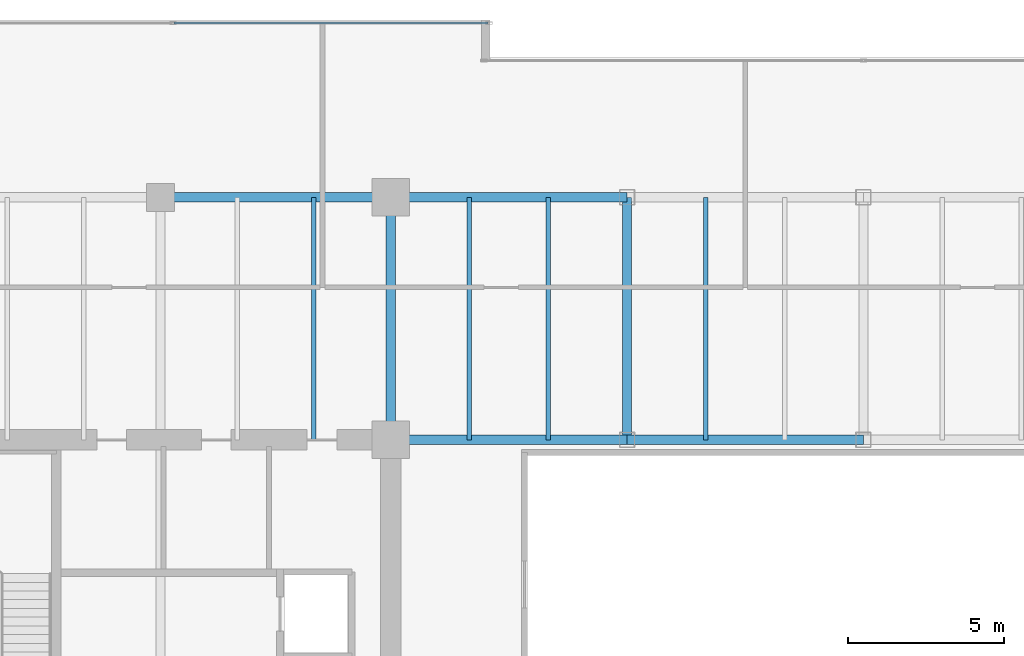
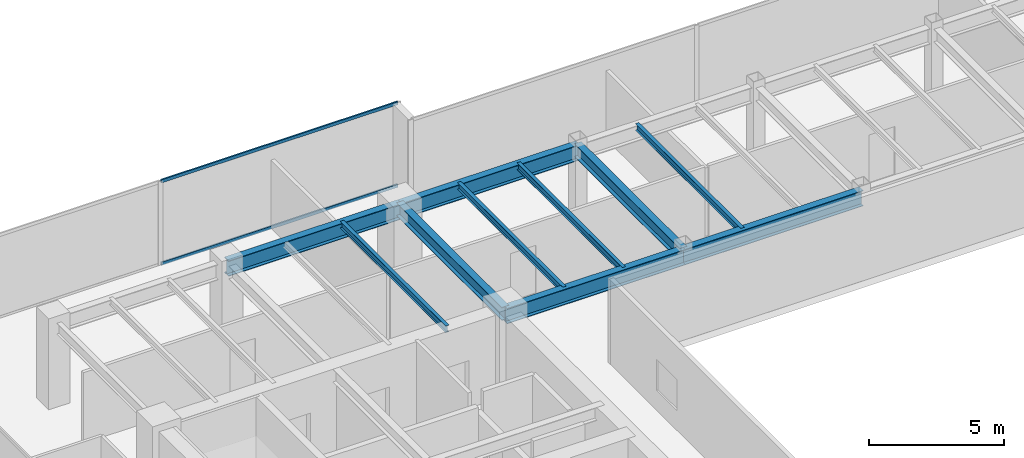
# One storey, part 15 of 31: 10 beams, 2 members, 1 element without a shape of its own.
"""IFC4 building model written with IfcOpenShell, lengths in metres."""

from ifc_helpers import new_model, si_unit, direction, frame, origin, origin_2d, place, context, subcontext, project, spatial, hollow_rectangle, i_section, extrude, source, transform, mapped, material, layer, layer_set, material_profile, profile_set, type_object, type_shapes, element, aggregate, save


model = new_model("IFC4")

# Units and contexts
model_context = context("Model", 3, precision=1e-05, world=origin(), true_north=direction((0.0, 1.0)))
body_context = subcontext(model_context, "Body", "Model", "MODEL_VIEW")
ifc_project = project(units=[si_unit("LENGTHUNIT", "METRE"), si_unit("AREAUNIT", "SQUARE_METRE"), si_unit("VOLUMEUNIT", "CUBIC_METRE"), si_unit("PLANEANGLEUNIT", "RADIAN"), si_unit("MASSUNIT", "GRAM", prefix="KILO")], contexts=[model_context])

# Site, building, storey
site_placement = place(None, origin())
site = spatial("IfcSite", under=ifc_project, at=site_placement, CompositionType="ELEMENT")
building_placement = place(site_placement, origin())
building = spatial("IfcBuilding", under=site, at=building_placement, Name="Haelvirn Gate Laboratories", CompositionType="ELEMENT")
storey_placement = place(building_placement, frame((0.0, 0.0, 150.199951171875)))
storey = spatial("IfcBuildingStorey", under=building, at=storey_placement, Name="L36", CompositionType="ELEMENT", Elevation=150.199951171875)

# Beams
ifc_material_1 = material(Name="Steel SM355", Category="steel")
ifc_material_profile_1 = material_profile(ifc_material_1, i_section(OverallWidth=0.300048828125, OverallDepth=0.699951171875, WebThickness=0.012939453125, FlangeThickness=0.02392578125, at=origin_2d()), Name="H-700x300x13x24")
ifc_profile_set_1 = profile_set([ifc_material_profile_1], Name="Steel SM355")
beam_type_1 = type_object("IfcBeamType", Name="BM-G-700", PredefinedType="BEAM", material=ifc_profile_set_1)
shared_shape_1 = source(origin(), body_context, "Body", "SweptSolid", [
    extrude(i_section(OverallWidth=0.300048828125, OverallDepth=0.699951171875, WebThickness=0.012939453125, FlangeThickness=0.02392578125, at=origin_2d()), origin(), (0.0, 0.0, 1.0), 7.39990234375),
])
beam_1_placement = place(storey_placement, frame((14.800048828125, 41.60009765625, 3.43994140625), z_axis=(1.0, 0.0, 0.0), x_axis=(0.0, 1.0, 0.0)))
element("IfcBeam", 1, at=beam_1_placement, inside=storey, type_object=beam_type_1, Name="L36 Primary Girder Y41.6 (14.8-22.2)", PredefinedType="BEAM", context=body_context, shape_type="MappedRepresentation", body=[
    mapped(shared_shape_1, transform((0.0, 0.0, 0.0), scale=1.0)),
])
shared_shape_2 = source(origin(), body_context, "Body", "SweptSolid", [
    extrude(i_section(OverallWidth=0.300048828125, OverallDepth=0.699951171875, WebThickness=0.012939453125, FlangeThickness=0.02392578125, at=origin_2d()), origin(), (0.0, 0.0, 1.0), 7.60009765625),
])
for number, where, z_axis, x_axis, name in (
    (2, (22.199951171875, 33.800048828125, 3.43994140625), (1.0, 0.0, 0.0), (0.0, 1.0, 0.0), "L36 Primary Girder Y33.8 (22.2-29.8)"),
    (3, (22.199951171875, 41.60009765625, 3.43994140625), (1.0, 0.0, 0.0), (0.0, 1.0, 0.0), "L36 Primary Girder Y41.6 (22.2-29.8)"),
):
    element("IfcBeam", number, at=place(storey_placement, frame(where, z_axis=z_axis, x_axis=x_axis)), inside=storey, type_object=beam_type_1, Name=name, PredefinedType="BEAM", context=body_context, shape_type="MappedRepresentation", body=[
        mapped(shared_shape_2, transform((0.0, 0.0, 0.0), scale=1.0)),
    ])
shared_shape_3 = source(origin(), body_context, "Body", "SweptSolid", [
    extrude(i_section(OverallWidth=0.300048828125, OverallDepth=0.699951171875, WebThickness=0.012939453125, FlangeThickness=0.02392578125, at=origin_2d()), origin(), (0.0, 0.0, 1.0), 7.599853515625),
])
type_shapes(beam_type_1, [shared_shape_1, shared_shape_2, shared_shape_3])
beam_2_placement = place(storey_placement, frame((29.800048828125, 33.800048828125, 3.43994140625), z_axis=(1.0, 0.0, 0.0), x_axis=(0.0, 1.0, 0.0)))
element("IfcBeam", 4, at=beam_2_placement, inside=storey, type_object=beam_type_1, Name="L36 Primary Girder Y33.8 (29.8-37.4)", PredefinedType="BEAM", context=body_context, shape_type="MappedRepresentation", body=[
    mapped(shared_shape_3, transform((0.0, 0.0, 0.0), scale=1.0)),
])
ifc_material_profile_2 = material_profile(ifc_material_1, i_section(OverallWidth=0.14990234375, OverallDepth=0.300048828125, WebThickness=0.006591796875, FlangeThickness=0.009033203125, at=origin_2d()), Name="H-300x150x6.5x9")
ifc_profile_set_2 = profile_set([ifc_material_profile_2], Name="Steel SM355")
beam_type_2 = type_object("IfcBeamType", Name="BM-J-300", PredefinedType="JOIST", material=ifc_profile_set_2)
shared_shape_4 = source(origin(), body_context, "Body", "SweptSolid", [
    extrude(i_section(OverallWidth=0.14990234375, OverallDepth=0.300048828125, WebThickness=0.006591796875, FlangeThickness=0.009033203125, at=origin_2d()), origin(), (0.0, 0.0, 1.0), 7.800048828125),
])
type_shapes(beam_type_2, [shared_shape_4])
for number, where, z_axis, x_axis, name in (
    (5, (19.72998046875, 33.800048828125, 3.64013671875), (0.0, 1.0, 0.0), (-1.0, 0.0, 0.0), "L36 Composite Lab Joist North X19.73"),
    (6, (24.72998046875, 33.800048828125, 3.64013671875), (0.0, 1.0, 0.0), (-1.0, 0.0, 0.0), "L36 Composite Lab Joist North X24.73"),
    (7, (27.27001953125, 33.800048828125, 3.64013671875), (0.0, 1.0, 0.0), (-1.0, 0.0, 0.0), "L36 Composite Lab Joist North X27.27"),
    (8, (32.330078125, 33.800048828125, 3.64013671875), (0.0, 1.0, 0.0), (-1.0, 0.0, 0.0), "L36 Composite Lab Joist North X32.33"),
):
    element("IfcBeam", number, at=place(storey_placement, frame(where, z_axis=z_axis, x_axis=x_axis)), inside=storey, type_object=beam_type_2, Name=name, PredefinedType="JOIST", context=body_context, shape_type="MappedRepresentation", body=[
        mapped(shared_shape_4, transform((0.0, 0.0, 0.0), scale=1.0)),
    ])
ifc_material_profile_3 = material_profile(ifc_material_1, i_section(OverallWidth=0.300048828125, OverallDepth=0.587890625, WebThickness=0.011962890625, FlangeThickness=0.02001953125, at=origin_2d()), Name="H-588x300x12x20")
ifc_profile_set_3 = profile_set([ifc_material_profile_3], Name="Steel SM355")
beam_type_3 = type_object("IfcBeamType", Name="BM-G-588", PredefinedType="BEAM", material=ifc_profile_set_3)
shared_shape_5 = source(origin(), body_context, "Body", "SweptSolid", [
    extrude(i_section(OverallWidth=0.300048828125, OverallDepth=0.587890625, WebThickness=0.011962890625, FlangeThickness=0.02001953125, at=origin_2d()), origin(), (0.0, 0.0, 1.0), 7.800048828125),
])
type_shapes(beam_type_3, [shared_shape_5])
for number, where, z_axis, x_axis, name in (
    (9, (22.199951171875, 33.800048828125, 3.49609375), (0.0, 1.0, 0.0), (-1.0, 0.0, 0.0), "L36 Frame Girder X22.2 (33.8-41.6)"),
    (10, (29.800048828125, 33.800048828125, 3.49609375), (0.0, 1.0, 0.0), (-1.0, 0.0, 0.0), "L36 Frame Girder X29.8 (33.8-41.6)"),
):
    element("IfcBeam", number, at=place(storey_placement, frame(where, z_axis=z_axis, x_axis=x_axis)), inside=storey, type_object=beam_type_3, Name=name, PredefinedType="BEAM", context=body_context, shape_type="MappedRepresentation", body=[
        mapped(shared_shape_5, transform((0.0, 0.0, 0.0), scale=1.0)),
    ])

# Curtain wall, members
ifc_material_2 = material(Name="Anodised bronze unitised aluminium & triple low-E glass", Category="aluminium")
ifc_layer = layer(ifc_material_2, 0.179931640625, Name="CW-SYS-3")
ifc_layer_set = layer_set([ifc_layer], Name="Anodised bronze unitised aluminium & triple low-E glass")
curtain_wall_type = type_object("IfcCurtainWallType", Name="CW-SYS-3", PredefinedType="NOTDEFINED", material=ifc_layer_set)
curtain_wall_placement = place(storey_placement, origin())
curtain_wall = element("IfcCurtainWall", 11, at=curtain_wall_placement, inside=storey, type_object=curtain_wall_type, Name="L36 Unitised Curtain Wall CW-L36-P0-E14-1", PredefinedType="NOTDEFINED")
ifc_material_3 = material(Name="Extruded aluminium 6063-T6 (anodised bronze)", Category="aluminium")
ifc_material_profile_4 = material_profile(ifc_material_3, hollow_rectangle(XDim=0.06494140625, YDim=0.139892578125, WallThickness=0.00390625, at=origin_2d()), Name="CWT-140x65x4")
ifc_profile_set_4 = profile_set([ifc_material_profile_4], Name="Extruded aluminium 6063-T6 (anodised bronze)")
member_type = type_object("IfcMemberType", Name="CWT-T140", PredefinedType="USERDEFINED", material=ifc_profile_set_4)
shared_shape_6 = source(origin(), body_context, "Body", "SweptSolid", [
    extrude(hollow_rectangle(XDim=0.06494140625, YDim=0.139892578125, WallThickness=0.00390625, at=origin_2d()), origin(), (0.0, 0.0, 1.0), 10.08740234375),
])
type_shapes(member_type, [shared_shape_6])
member_1_placement = place(storey_placement, frame((15.237548828125, 47.199951171875, 0.032470703125), z_axis=(1.0, 0.0, 0.0), x_axis=(0.0, 1.0, 0.0)))
member_1 = element("IfcMember", 12, at=member_1_placement, type_object=member_type, Name="CW3 transom 2.1", ObjectType="TRANSOM", PredefinedType="USERDEFINED", context=body_context, shape_type="MappedRepresentation", body=[
    mapped(shared_shape_6, transform((0.0, 0.0, 0.0), scale=1.0)),
])
member_2_placement = place(storey_placement, frame((15.237548828125, 47.199951171875, 3.757568359375), z_axis=(1.0, 0.0, 0.0), x_axis=(0.0, 1.0, 0.0)))
member_2 = element("IfcMember", 13, at=member_2_placement, type_object=member_type, Name="CW3 transom 2.2", ObjectType="TRANSOM", PredefinedType="USERDEFINED", context=body_context, shape_type="MappedRepresentation", body=[
    mapped(shared_shape_6, transform((0.0, 0.0, 0.0), scale=1.0)),
])
aggregate(curtain_wall, [member_1, member_2])

save(model, "model.ifc")
